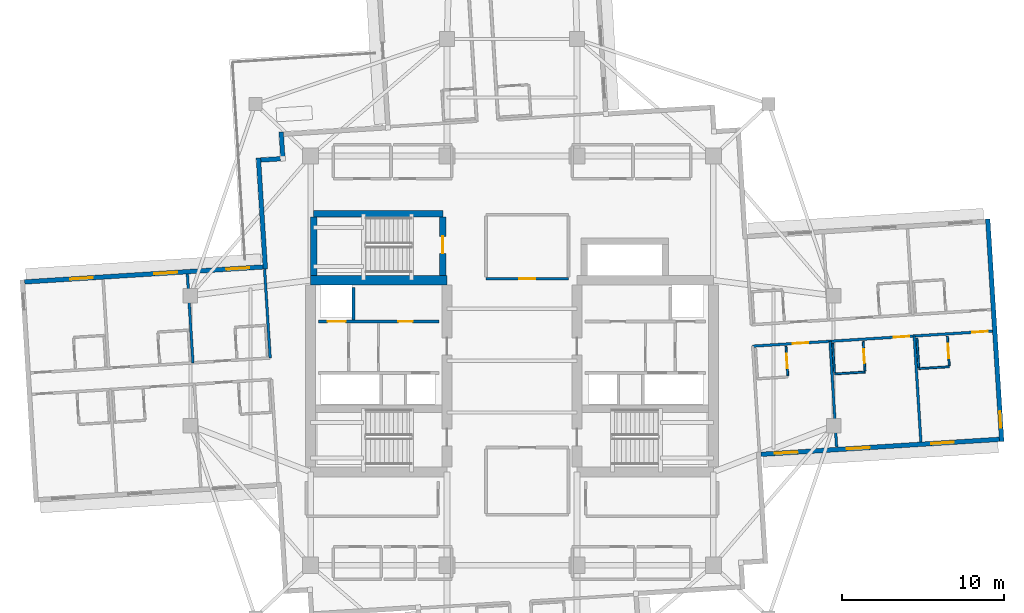
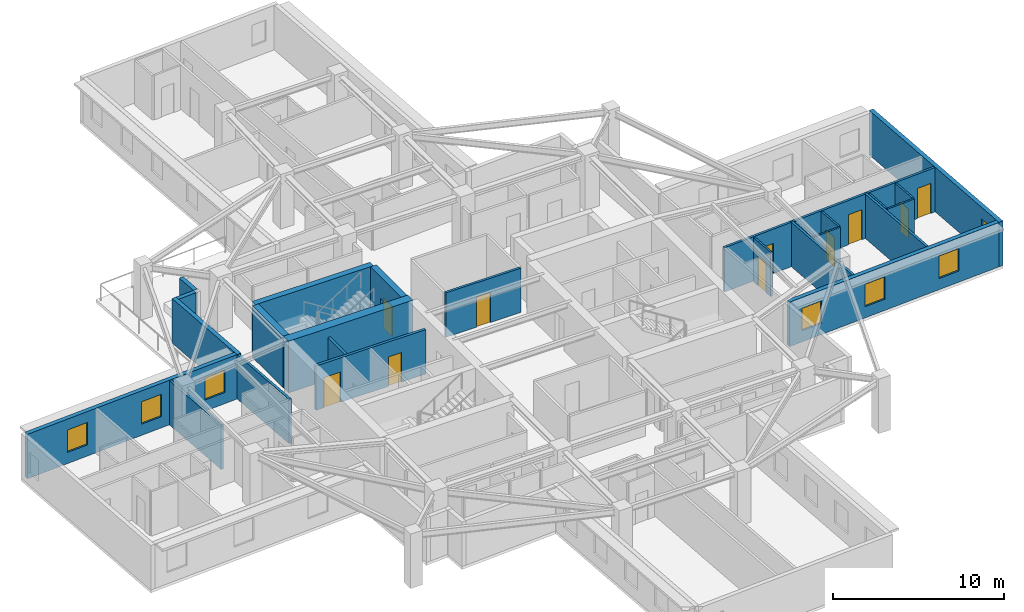
# One storey, part 6 of 13: 25 walls, 10 doors, 7 windows, 17 openings.
"""IFC4 building model written with IfcOpenShell, lengths in metres."""

import ifcopenshell
import ifcopenshell.guid

model = None  # the IFC model being written
_history = None  # IfcOwnerHistory: only IFC2X3 demands one
_inside = {}  # id of a spatial element -> (the spatial element, [elements in it])
_under = {}  # id of a project, library or spatial element -> (it, [spatial elements below it])
_declared = {}  # id of a project -> (the project, [libraries it declares])
_typed = {}  # id of a type object -> (the type object, [elements of that type])
_made_of = {}  # id of a material, layer set ... -> (it, [elements and type objects made of it])


def new_model(schema):
    """Start an empty IFC model of exactly this schema.

    Asked for "IFC4X3", IfcOpenShell would pick the latest addendum, in which some entities
    have other attributes; the version numbers below select the first issue.
    IFC2X3 requires an IfcOwnerHistory on every rooted entity: one is made here for all.
    """
    global model, _history
    if schema == "IFC4X3":
        model = ifcopenshell.file(schema_version=(4, 3, 0, 0))
    else:
        model = ifcopenshell.file(schema=schema)
    _inside.clear()
    _under.clear()
    _declared.clear()
    _typed.clear()
    _made_of.clear()
    _history = None
    if model.schema == "IFC2X3":
        org = make("IfcOrganization", Name="unknown")
        user = make(
            "IfcPersonAndOrganization",
            ThePerson=make("IfcPerson", FamilyName="unknown"),
            TheOrganization=org,
        )
        app = make(
            "IfcApplication",
            ApplicationDeveloper=org,
            Version="unknown",
            ApplicationFullName="unknown",
            ApplicationIdentifier="unknown",
        )
        _history = make(
            "IfcOwnerHistory",
            OwningUser=user,
            OwningApplication=app,
            ChangeAction="ADDED",
            CreationDate=0,
        )
    return model


def make(cls, **values):
    """One entity of the class cls with the attributes given. An attribute that is None is left unset."""
    return model.create_entity(
        cls, **{name: value for name, value in values.items() if value is not None}
    )


def rooted(cls, **values):
    """An entity with a GlobalId (a new one), such as an element, a storey or a relation."""
    return make(cls, GlobalId=ifcopenshell.guid.new(), OwnerHistory=_history, **values)


def si_unit(unit_type, name, prefix=None):
    """IfcSIUnit, for example si_unit("LENGTHUNIT", "METRE", prefix="MILLI")."""
    return make("IfcSIUnit", UnitType=unit_type, Prefix=prefix, Name=name)


def assignment(units):
    """IfcUnitAssignment: the units of a project."""
    return None if units is None else make("IfcUnitAssignment", Units=units)


def point(xyz):
    """IfcCartesianPoint."""
    return None if xyz is None else make("IfcCartesianPoint", Coordinates=xyz)


def direction(xyz):
    """IfcDirection."""
    return None if xyz is None else make("IfcDirection", DirectionRatios=xyz)


def frame(location, z_axis=None, x_axis=None):
    """IfcAxis2Placement3D, a coordinate frame: its origin and axes. An axis left out is left unset."""
    return make(
        "IfcAxis2Placement3D",
        Location=point(location),
        Axis=direction(z_axis),
        RefDirection=direction(x_axis),
    )


def frame_2d(location, x_axis=None):
    """IfcAxis2Placement2D, a coordinate frame in the plane: its origin and x axis."""
    return make(
        "IfcAxis2Placement2D", Location=point(location), RefDirection=direction(x_axis)
    )


def origin():
    """The frame at (0, 0, 0) with its axes left unset."""
    return frame((0.0, 0.0, 0.0))


def place(relative_to, where):
    """IfcLocalPlacement: puts the frame where relative to a parent placement (None: the world)."""
    return make(
        "IfcLocalPlacement", PlacementRelTo=relative_to, RelativePlacement=where
    )


def context(
    kind, dimensions, precision=None, world=None, true_north=None, identifier=None
):
    """IfcGeometricRepresentationContext, for example the 3D "Model" context."""
    return make(
        "IfcGeometricRepresentationContext",
        ContextIdentifier=identifier,
        ContextType=kind,
        CoordinateSpaceDimension=dimensions,
        Precision=precision,
        WorldCoordinateSystem=world,
        TrueNorth=true_north,
    )


def subcontext(parent, identifier, kind, view, scale=None):
    """IfcGeometricRepresentationSubContext, for example "Body" below "Model"."""
    return make(
        "IfcGeometricRepresentationSubContext",
        ContextIdentifier=identifier,
        ContextType=kind,
        ParentContext=parent,
        TargetScale=scale,
        TargetView=view,
    )


def project(units=None, contexts=None):
    """IfcProject with its units and contexts."""
    return rooted(
        "IfcProject",
        Name="project",
        RepresentationContexts=contexts,
        UnitsInContext=assignment(units),
    )


def spatial(cls, under=None, at=None, **own):
    """A site, building, storey or space (cls), placed at a placement, below another one or the project."""
    s = rooted(cls, ObjectPlacement=at, **own)
    if under is not None:
        _under.setdefault(under.id(), (under, []))[1].append(s)
    return s


def profile(cls, at=None, kind="AREA", **sizes):
    """A parametric profile (cls). Its sizes go by their IFC names, for example OverallWidth=200.0."""
    return make(cls, ProfileType=kind, Position=at, **sizes)


def rectangle(**sizes):
    """IfcRectangleProfileDef."""
    return profile("IfcRectangleProfileDef", **sizes)


def extrude(swept, where, along, depth):
    """IfcExtrudedAreaSolid: the profile swept, set in the frame where, extruded along a direction by depth."""
    return make(
        "IfcExtrudedAreaSolid",
        SweptArea=swept,
        Position=where,
        ExtrudedDirection=direction(along),
        Depth=depth,
    )


def shape(context_of_items, identifier, shape_type, items):
    """IfcShapeRepresentation: the items that make up one representation, for example the "Body"."""
    return make(
        "IfcShapeRepresentation",
        ContextOfItems=context_of_items,
        RepresentationIdentifier=identifier,
        RepresentationType=shape_type,
        Items=items,
    )


def material(Name=None, Category=None):
    """IfcMaterial."""
    return make("IfcMaterial", Name=Name, Category=Category)


def layer(
    of_material, thickness, ventilated=None, Name=None, Category=None, Priority=None
):
    """IfcMaterialLayer: one layer of a wall or slab, of a material (None: an air gap)."""
    return make(
        "IfcMaterialLayer",
        Material=of_material,
        LayerThickness=thickness,
        IsVentilated=ventilated,
        Name=Name,
        Category=Category,
        Priority=Priority,
    )


def layer_set(layers, Name=None):
    """IfcMaterialLayerSet."""
    return make("IfcMaterialLayerSet", MaterialLayers=layers, LayerSetName=Name)


def made_of(thing, what):
    """Note that an element or type object is made of a material, layer set ...; save() writes the relation."""
    if what is not None:
        _made_of.setdefault(what.id(), (what, []))[1].append(thing)
    return thing


def type_object(cls, material=None, **own):
    """A type object (cls), such as IfcWallType, which elements share."""
    return made_of(rooted(cls, **own), material)


def element(
    cls,
    number,
    at=None,
    inside=None,
    cuts=None,
    type_object=None,
    material=None,
    context=None,
    identifier="Body",
    shape_type=None,
    held_by="IfcProductDefinitionShape",
    body=None,
    shapes=None,
    **own,
):
    """One element of the class cls, such as IfcWall. Its Tag is "e" and its number.

    at: its placement. inside: the storey or other place that contains it. cuts: it is an
    opening in that element (IfcRelVoidsElement). A single representation is given by context,
    identifier, shape_type and body (its items); several are given by shapes. held_by: the class
    of the entity that holds the representations. save() writes the other relations.
    """
    e = rooted(cls, Tag="e%d" % number, ObjectPlacement=at, **own)
    if body is not None:
        shapes = [shape(context, identifier, shape_type, body)]
    if shapes is not None:
        e.Representation = make(held_by, Representations=shapes)
    if inside is not None:
        _inside.setdefault(inside.id(), (inside, []))[1].append(e)
    if cuts is not None:
        rooted(
            "IfcRelVoidsElement", RelatingBuildingElement=cuts, RelatedOpeningElement=e
        )
    if type_object is not None:
        _typed.setdefault(type_object.id(), (type_object, []))[1].append(e)
    return made_of(e, material)


def fill(opening, filler):
    """IfcRelFillsElement: the door or window that sits in an opening."""
    return rooted(
        "IfcRelFillsElement",
        RelatingOpeningElement=opening,
        RelatedBuildingElement=filler,
    )


def aggregate(whole, parts):
    """IfcRelAggregates: a whole, such as a stair, and the parts it consists of."""
    return rooted("IfcRelAggregates", RelatingObject=whole, RelatedObjects=parts)


def save(model, path):
    """Write the relations noted so far, then the file.

    IfcRelAggregates (storeys below a building ...), IfcRelContainedInSpatialStructure (elements
    in a storey), IfcRelDefinesByType, IfcRelAssociatesMaterial and IfcRelDeclares: one each for
    every whole, place, type object, material and project.
    """
    for whole, parts in _under.values():
        aggregate(whole, parts)
    for where, things in _inside.values():
        rooted(
            "IfcRelContainedInSpatialStructure",
            RelatedElements=things,
            RelatingStructure=where,
        )
    for kind, things in _typed.values():
        rooted("IfcRelDefinesByType", RelatedObjects=things, RelatingType=kind)
    for what, things in _made_of.values():
        rooted("IfcRelAssociatesMaterial", RelatedObjects=things, RelatingMaterial=what)
    for by, libraries in _declared.values():
        rooted("IfcRelDeclares", RelatingContext=by, RelatedDefinitions=libraries)
    model.write(path)


model = new_model("IFC4")

# Units and contexts
model_context = context("Model", 3, precision=1e-05, world=origin(), true_north=direction((0.0, 1.0)))
body_context = subcontext(model_context, "Body", "Model", "MODEL_VIEW")
ifc_project = project(units=[si_unit("LENGTHUNIT", "METRE"), si_unit("AREAUNIT", "SQUARE_METRE"), si_unit("VOLUMEUNIT", "CUBIC_METRE"), si_unit("PLANEANGLEUNIT", "RADIAN"), si_unit("MASSUNIT", "GRAM", prefix="KILO")], contexts=[model_context])

# Site, building, storey
site_placement = place(None, origin())
site = spatial("IfcSite", under=ifc_project, at=site_placement, CompositionType="ELEMENT")
building_placement = place(site_placement, origin())
building = spatial("IfcBuilding", under=site, at=building_placement, Name="Qingluan Cross Belvedere", CompositionType="ELEMENT")
storey_placement = place(building_placement, frame((0.0, 0.0, 201.300048828125)))
storey = spatial("IfcBuildingStorey", under=building, at=storey_placement, Name="L50", CompositionType="ELEMENT", Elevation=201.300048828125)

# Walls
ifc_material_1 = material(Name="Concrete C50", Category="concrete")
ifc_layer_1 = layer(ifc_material_1, 0.449951171875, Name="CoreShearWall_450")
ifc_layer_set_1 = layer_set([ifc_layer_1], Name="Concrete C50")
wall_type_1 = type_object("IfcWallType", Name="CoreShearWall_450", PredefinedType="SHEAR", material=ifc_layer_set_1)
wall_1_placement = place(storey_placement, frame((-12.219970703125, 9.0400390625, 0.0), z_axis=(0.0, 0.0, 1.0), x_axis=(1.0, 0.0, 0.0)))
element("IfcWall", 1, at=wall_1_placement, inside=storey, type_object=wall_type_1, Name="Stair ST3 structural wall N L50", PredefinedType="SHEAR", context=body_context, shape_type="SweptSolid", body=[
    extrude(rectangle(XDim=7.9599609375, YDim=0.39990234375, at=frame_2d((3.97998046875, 0.0))), origin(), (0.0, 0.0, 1.0), 3.699951171875),
])
wall_2_placement = place(storey_placement, frame((-12.219970703125, 5.2548828125, 0.0), z_axis=(0.0, 0.0, 1.0), x_axis=(0.0, 1.0, 0.0)))
element("IfcWall", 2, at=wall_2_placement, inside=storey, type_object=wall_type_1, Name="Stair ST3 structural wall W L50", PredefinedType="SHEAR", context=body_context, shape_type="SweptSolid", body=[
    extrude(rectangle(XDim=3.580078125, YDim=0.39990234375, at=frame_2d((1.7900390625, 0.0))), origin(), (0.0, 0.0, 1.0), 3.699951171875),
])

# Wall, opening, door
wall_3_placement = place(storey_placement, frame((-4.260009765625, 5.2548828125, 0.0), z_axis=(0.0, 0.0, 1.0), x_axis=(0.0, 1.0, 0.0)))
wall_3 = element("IfcWall", 3, at=wall_3_placement, inside=storey, type_object=wall_type_1, Name="Stair ST3 structural wall E L50", PredefinedType="SHEAR", context=body_context, shape_type="SweptSolid", body=[
    extrude(rectangle(XDim=3.580078125, YDim=0.39990234375, at=frame_2d((1.7900390625, 0.0))), origin(), (0.0, 0.0, 1.0), 3.699951171875),
])
opening_1_placement = place(wall_3_placement, frame((1.344970703125, 0.0, 0.0)))
opening_1 = element("IfcOpeningElement", 4, at=opening_1_placement, cuts=wall_3, Name="Opening FD-B11", PredefinedType="OPENING", context=body_context, shape_type="SweptSolid", body=[
    extrude(rectangle(XDim=1.050048828125, YDim=2.14990234375, at=frame_2d((0.52490234375, 1.074951171875))), frame((0.0, 0.2099609375, 0.0), z_axis=(0.0, -1.0, 0.0), x_axis=(1.0, 0.0, 0.0)), (0.0, 0.0, 1.0), 0.419921875),
])
ifc_material_2 = material(Name="Steel Class B smoke-seal fire door", Category="steel")
door_type_1 = type_object("IfcDoorType", Name="StairLobbyFireDoor_FDB", OperationType="NOTDEFINED", PredefinedType="DOOR", material=ifc_material_2)
door_1_placement = place(opening_1_placement, origin())
door_1 = element("IfcDoor", 5, at=door_1_placement, inside=storey, type_object=door_type_1, Name="Smoke-proof stair ST3 fire door L50", OperationType="SINGLE_SWING_RIGHT", OverallHeight=2.14990234375, OverallWidth=1.050048828125, PredefinedType="DOOR", context=body_context, shape_type="SweptSolid", body=[
    extrude(rectangle(XDim=1.050048828125, YDim=2.14990234375, at=frame_2d((0.52490234375, 1.074951171875))), frame((0.0, 0.02490234375, 0.0), z_axis=(0.0, -1.0, 0.0), x_axis=(1.0, 0.0, 0.0)), (0.0, 0.0, 1.0), 0.050048828125),
])
fill(opening_1, door_1)

# Wall
ifc_material_3 = material(Name="Concrete C60", Category="concrete")
ifc_layer_2 = layer(ifc_material_3, 0.60009765625, Name="CoreShearWall_600")
ifc_layer_set_2 = layer_set([ifc_layer_2], Name="Concrete C60")
wall_type_2 = type_object("IfcWallType", Name="CoreShearWall_600", PredefinedType="SHEAR", material=ifc_layer_set_2)
wall_4_placement = place(storey_placement, frame((-12.39990234375, 4.949951171875, 0.0), z_axis=(0.0, 0.0, 1.0), x_axis=(1.0, 0.0, 0.0)))
element("IfcWall", 6, at=wall_4_placement, inside=storey, type_object=wall_type_2, Name="Split core W shear wall L50-N", PredefinedType="SHEAR", context=body_context, shape_type="SweptSolid", body=[
    extrude(rectangle(XDim=8.39990234375, YDim=0.60009765625, at=frame_2d((4.199951171875, 0.0))), origin(), (0.0, 0.0, 1.0), 3.699951171875),
])

# Wall, opening, door
ifc_material_4 = material(Name="Gypsum plasterboard on steel stud acoustic partition", Category="steel")
ifc_layer_3 = layer(ifc_material_4, 0.159912109375, Name="CorridorPartition_160")
ifc_layer_set_3 = layer_set([ifc_layer_3], Name="Gypsum plasterboard on steel stud acoustic partition")
wall_type_3 = type_object("IfcWallType", Name="CorridorPartition_160", PredefinedType="PARTITIONING", material=ifc_layer_set_3)
wall_5_placement = place(storey_placement, frame((-1.60009765625, 5.050048828125, 0.0), z_axis=(0.0, 0.0, 1.0), x_axis=(1.0, 0.0, 0.0)))
wall_5 = element("IfcWall", 7, at=wall_5_placement, inside=storey, type_object=wall_type_3, Name="Partition L50:sky_tea_alcove:S", PredefinedType="PARTITIONING", context=body_context, shape_type="SweptSolid", body=[
    extrude(rectangle(XDim=5.080078125, YDim=0.159912109375, at=frame_2d((2.5400390625, 0.0))), origin(), (0.0, 0.0, 1.0), 3.169921875),
])
opening_2_placement = place(wall_5_placement, frame((2.06005859375, 0.0, 0.0)))
opening_2 = element("IfcOpeningElement", 8, at=opening_2_placement, cuts=wall_5, Name="Opening GD-10", PredefinedType="OPENING", context=body_context, shape_type="SweptSolid", body=[
    extrude(rectangle(XDim=0.9599609375, YDim=2.14990234375, at=frame_2d((0.47998046875, 1.074951171875))), frame((0.0, 0.08984375, 0.0), z_axis=(0.0, -1.0, 0.0), x_axis=(1.0, 0.0, 0.0)), (0.0, 0.0, 1.0), 0.179931640625),
])
ifc_material_5 = material(Name="Timber oak fire-rated acoustic guestroom door", Category="wood")
door_type_2 = type_object("IfcDoorType", Name="GuestEntryDoor_FD60", OperationType="NOTDEFINED", PredefinedType="DOOR", material=ifc_material_5)
door_2_placement = place(opening_2_placement, origin())
door_2 = element("IfcDoor", 9, at=door_2_placement, inside=storey, type_object=door_type_2, Name="Sky horizon tea salon L50 door", OperationType="SINGLE_SWING_LEFT", OverallHeight=2.14990234375, OverallWidth=0.9599609375, PredefinedType="DOOR", context=body_context, shape_type="SweptSolid", body=[
    extrude(rectangle(XDim=0.9599609375, YDim=2.14990234375, at=frame_2d((0.47998046875, 1.074951171875))), frame((0.0, 0.02490234375, 0.0), z_axis=(0.0, -1.0, 0.0), x_axis=(1.0, 0.0, 0.0)), (0.0, 0.0, 1.0), 0.050048828125),
])
fill(opening_2, door_2)

# Wall, openings, doors
wall_6_placement = place(storey_placement, frame((14.8232421875, 0.892578125, 0.0), z_axis=(0.0, 0.0, 1.0), x_axis=(0.998026529199, 0.062793686106, 0.0)))
wall_6 = element("IfcWall", 10, at=wall_6_placement, inside=storey, type_object=wall_type_3, Name="Partition L50:E:c1", PredefinedType="PARTITIONING", context=body_context, shape_type="SweptSolid", body=[
    extrude(rectangle(XDim=14.781982421875, YDim=0.159912109375, at=frame_2d((7.39111328125, 0.0))), origin(), (0.0, 0.0, 1.0), 3.169921875),
])
opening_3_placement = place(wall_6_placement, frame((2.4560546875, 0.0, 0.0)))
opening_3 = element("IfcOpeningElement", 11, at=opening_3_placement, cuts=wall_6, Name="Opening GD-10", PredefinedType="OPENING", context=body_context, shape_type="SweptSolid", body=[
    extrude(rectangle(XDim=0.9599609375, YDim=2.14990234375, at=frame_2d((0.47998046875, 1.074951171875))), frame((0.0, 0.08984375, 0.0), z_axis=(0.0, -1.0, 0.0), x_axis=(1.0, 0.0, 0.0)), (0.0, 0.0, 1.0), 0.179931640625),
])
opening_4_placement = place(wall_6_placement, frame((8.700927734375, 0.0, 0.0)))
opening_4 = element("IfcOpeningElement", 12, at=opening_4_placement, cuts=wall_6, Name="Opening GD-10", PredefinedType="OPENING", context=body_context, shape_type="SweptSolid", body=[
    extrude(rectangle(XDim=0.9599609375, YDim=2.14990234375, at=frame_2d((0.47998046875, 1.074951171875))), frame((0.0, 0.08984375, 0.0), z_axis=(0.0, -1.0, 0.0), x_axis=(1.0, 0.0, 0.0)), (0.0, 0.0, 1.0), 0.179931640625),
])
opening_5_placement = place(wall_6_placement, frame((13.530029296875, 0.0, 0.0)))
opening_5 = element("IfcOpeningElement", 13, at=opening_5_placement, cuts=wall_6, Name="Opening GD-10", PredefinedType="OPENING", context=body_context, shape_type="SweptSolid", body=[
    extrude(rectangle(XDim=0.9599609375, YDim=2.14990234375, at=frame_2d((0.47998046875, 1.074951171875))), frame((0.0, 0.08984375, 0.0), z_axis=(0.0, -1.0, 0.0), x_axis=(1.0, 0.0, 0.0)), (0.0, 0.0, 1.0), 0.179931640625),
])
door_3_placement = place(opening_3_placement, origin())
door_3 = element("IfcDoor", 14, at=door_3_placement, inside=storey, type_object=door_type_2, Name="Guest entry fire door 5004", OperationType="SINGLE_SWING_LEFT", OverallHeight=2.14990234375, OverallWidth=0.9599609375, PredefinedType="DOOR", context=body_context, shape_type="SweptSolid", body=[
    extrude(rectangle(XDim=0.9599609375, YDim=2.14990234375, at=frame_2d((0.47998046875, 1.074951171875))), frame((0.0, 0.02490234375, 0.0), z_axis=(0.0, -1.0, 0.0), x_axis=(1.0, 0.0, 0.0)), (0.0, 0.0, 1.0), 0.050048828125),
])
fill(opening_3, door_3)
door_4_placement = place(opening_4_placement, origin())
door_4 = element("IfcDoor", 15, at=door_4_placement, inside=storey, type_object=door_type_2, Name="Guest entry fire door 5005", OperationType="SINGLE_SWING_LEFT", OverallHeight=2.14990234375, OverallWidth=0.9599609375, PredefinedType="DOOR", context=body_context, shape_type="SweptSolid", body=[
    extrude(rectangle(XDim=0.9599609375, YDim=2.14990234375, at=frame_2d((0.47998046875, 1.074951171875))), frame((0.0, 0.02490234375, 0.0), z_axis=(0.0, -1.0, 0.0), x_axis=(1.0, 0.0, 0.0)), (0.0, 0.0, 1.0), 0.050048828125),
])
fill(opening_4, door_4)
door_5_placement = place(opening_5_placement, origin())
door_5 = element("IfcDoor", 16, at=door_5_placement, inside=storey, type_object=door_type_2, Name="Guest entry fire door 5006", OperationType="SINGLE_SWING_LEFT", OverallHeight=2.14990234375, OverallWidth=0.9599609375, PredefinedType="DOOR", context=body_context, shape_type="SweptSolid", body=[
    extrude(rectangle(XDim=0.9599609375, YDim=2.14990234375, at=frame_2d((0.47998046875, 1.074951171875))), frame((0.0, 0.02490234375, 0.0), z_axis=(0.0, -1.0, 0.0), x_axis=(1.0, 0.0, 0.0)), (0.0, 0.0, 1.0), 0.050048828125),
])
fill(opening_5, door_5)

# Walls
wall_7_placement = place(storey_placement, frame((19.576904296875, 1.191650390625, 0.0), z_axis=(0.0, 0.0, 1.0), x_axis=(0.062792476105, -0.998026605329, 0.0)))
element("IfcWall", 17, at=wall_7_placement, inside=storey, type_object=wall_type_3, Name="Partition L50:E:d1_0", PredefinedType="PARTITIONING", context=body_context, shape_type="SweptSolid", body=[
    extrude(rectangle(XDim=6.531982421875, YDim=0.159912109375, at=frame_2d((3.26611328125, 0.0))), origin(), (0.0, 0.0, 1.0), 3.169921875),
])
wall_8_placement = place(storey_placement, frame((24.7646484375, 1.51806640625, 0.0), z_axis=(0.0, 0.0, 1.0), x_axis=(0.062790133862, -0.998026752692, 0.0)))
element("IfcWall", 18, at=wall_8_placement, inside=storey, type_object=wall_type_3, Name="Partition L50:E:d1_1", PredefinedType="PARTITIONING", context=body_context, shape_type="SweptSolid", body=[
    extrude(rectangle(XDim=6.5322265625, YDim=0.159912109375, at=frame_2d((3.26611328125, 0.0))), origin(), (0.0, 0.0, 1.0), 3.169921875),
])
wall_9_placement = place(storey_placement, frame((-14.889892578125, 0.165283203125, 0.0), z_axis=(0.0, 0.0, 1.0), x_axis=(-0.062772694883, 0.9980278497, 0.0)))
element("IfcWall", 19, at=wall_9_placement, inside=storey, type_object=wall_type_3, Name="Partition L50:W:s0", PredefinedType="PARTITIONING", context=body_context, shape_type="SweptSolid", body=[
    extrude(rectangle(XDim=5.47216796875, YDim=0.159912109375, at=frame_2d((2.736083984375, 0.0))), origin(), (0.0, 0.0, 1.0), 3.169921875),
])
wall_10_placement = place(storey_placement, frame((-19.643310546875, -0.1337890625, 0.0), z_axis=(0.0, 0.0, 1.0), x_axis=(-0.062819930603, 0.998024877605, 0.0)))
element("IfcWall", 20, at=wall_10_placement, inside=storey, type_object=wall_type_3, Name="Partition L50:W:d0_0", PredefinedType="PARTITIONING", context=body_context, shape_type="SweptSolid", body=[
    extrude(rectangle(XDim=5.471923828125, YDim=0.159912109375, at=frame_2d((2.73583984375, 0.0))), origin(), (0.0, 0.0, 1.0), 3.169921875),
])

# Wall, opening, door
ifc_material_6 = material(Name="Moisture-resistant gypsum board lining")
ifc_layer_4 = layer(ifc_material_6, 0.1201171875, Name="EnsuiteWetPartition_120")
ifc_layer_set_4 = layer_set([ifc_layer_4], Name="Moisture-resistant gypsum board lining")
wall_type_4 = type_object("IfcWallType", Name="EnsuiteWetPartition_120", PredefinedType="PARTITIONING", material=ifc_layer_set_4)
wall_11_placement = place(storey_placement, frame((16.982421875, -0.935546875, 0.0), z_axis=(0.0, 0.0, 1.0), x_axis=(-0.062912758763, 0.998019030272, 0.0)))
wall_11 = element("IfcWall", 21, at=wall_11_placement, inside=storey, type_object=wall_type_4, Name="Partition L50:E:bs1_0", PredefinedType="PARTITIONING", context=body_context, shape_type="SweptSolid", body=[
    extrude(rectangle(XDim=1.820068359375, YDim=0.1201171875, at=frame_2d((0.91015625, 0.0))), origin(), (0.0, 0.0, 1.0), 3.169921875),
])
opening_6_placement = place(wall_11_placement, frame((0.469970703125, 0.0, 0.0)))
opening_6 = element("IfcOpeningElement", 22, at=opening_6_placement, cuts=wall_11, Name="Opening BD-09", PredefinedType="OPENING", context=body_context, shape_type="SweptSolid", body=[
    extrude(rectangle(XDim=0.8798828125, YDim=2.10009765625, at=frame_2d((0.43994140625, 1.050048828125))), frame((0.0, 0.070068359375, 0.0), z_axis=(0.0, -1.0, 0.0), x_axis=(1.0, 0.0, 0.0)), (0.0, 0.0, 1.0), 0.14013671875),
])
ifc_material_7 = material(Name="Moisture-sealed timber en-suite door", Category="wood")
door_type_3 = type_object("IfcDoorType", Name="BathroomDoor_880", OperationType="NOTDEFINED", PredefinedType="DOOR", material=ifc_material_7)
door_6_placement = place(opening_6_placement, origin())
door_6 = element("IfcDoor", 23, at=door_6_placement, inside=storey, type_object=door_type_3, Name="Bathroom door 5004", OperationType="SINGLE_SWING_RIGHT", OverallHeight=2.10009765625, OverallWidth=0.8798828125, PredefinedType="DOOR", context=body_context, shape_type="SweptSolid", body=[
    extrude(rectangle(XDim=0.8798828125, YDim=2.10009765625, at=frame_2d((0.43994140625, 1.050048828125))), frame((0.0, 0.02490234375, 0.0), z_axis=(0.0, -1.0, 0.0), x_axis=(1.0, 0.0, 0.0)), (0.0, 0.0, 1.0), 0.050048828125),
])
fill(opening_6, door_6)

wall_12_placement = place(storey_placement, frame((21.73583984375, -0.636474609375, 0.0), z_axis=(0.0, 0.0, 1.0), x_axis=(-0.062779145668, 0.998027443946, 0.0)))
wall_12 = element("IfcWall", 24, at=wall_12_placement, inside=storey, type_object=wall_type_4, Name="Partition L50:E:bs1_1", PredefinedType="PARTITIONING", context=body_context, shape_type="SweptSolid", body=[
    extrude(rectangle(XDim=1.820068359375, YDim=0.1201171875, at=frame_2d((0.91015625, 0.0))), origin(), (0.0, 0.0, 1.0), 3.169921875),
])
opening_7_placement = place(wall_12_placement, frame((0.469970703125, 0.0, 0.0)))
opening_7 = element("IfcOpeningElement", 25, at=opening_7_placement, cuts=wall_12, Name="Opening BD-09", PredefinedType="OPENING", context=body_context, shape_type="SweptSolid", body=[
    extrude(rectangle(XDim=0.8798828125, YDim=2.10009765625, at=frame_2d((0.43994140625, 1.050048828125))), frame((0.0, 0.070068359375, 0.0), z_axis=(0.0, -1.0, 0.0), x_axis=(1.0, 0.0, 0.0)), (0.0, 0.0, 1.0), 0.14013671875),
])
door_7_placement = place(opening_7_placement, origin())
door_7 = element("IfcDoor", 26, at=door_7_placement, inside=storey, type_object=door_type_3, Name="Bathroom door 5005", OperationType="SINGLE_SWING_RIGHT", OverallHeight=2.10009765625, OverallWidth=0.8798828125, PredefinedType="DOOR", context=body_context, shape_type="SweptSolid", body=[
    extrude(rectangle(XDim=0.8798828125, YDim=2.10009765625, at=frame_2d((0.43994140625, 1.050048828125))), frame((0.0, 0.02490234375, 0.0), z_axis=(0.0, -1.0, 0.0), x_axis=(1.0, 0.0, 0.0)), (0.0, 0.0, 1.0), 0.050048828125),
])
fill(opening_7, door_7)

# Walls
wall_13_placement = place(storey_placement, frame((19.859619140625, -0.75439453125, 0.0), z_axis=(0.0, 0.0, 1.0), x_axis=(-0.062779145668, 0.998027443946, 0.0)))
element("IfcWall", 27, at=wall_13_placement, inside=storey, type_object=wall_type_4, Name="Partition L50:E:bw1_1", PredefinedType="PARTITIONING", context=body_context, shape_type="SweptSolid", body=[
    extrude(rectangle(XDim=1.820068359375, YDim=0.1201171875, at=frame_2d((0.91015625, 0.0))), origin(), (0.0, 0.0, 1.0), 3.169921875),
])
wall_14_placement = place(storey_placement, frame((19.863525390625, -0.8193359375, 0.0), z_axis=(0.0, 0.0, 1.0), x_axis=(0.998031300018, 0.062717813936, 0.0)))
element("IfcWall", 28, at=wall_14_placement, inside=storey, type_object=wall_type_4, Name="Partition L50:E:bc1_1", PredefinedType="PARTITIONING", context=body_context, shape_type="SweptSolid", body=[
    extrude(rectangle(XDim=1.880126953125, YDim=0.1201171875, at=frame_2d((0.93994140625, 0.0))), origin(), (0.0, 0.0, 1.0), 3.169921875),
])

# Wall, opening, door
wall_15_placement = place(storey_placement, frame((26.923583984375, -0.31005859375, 0.0), z_axis=(0.0, 0.0, 1.0), x_axis=(-0.062779145668, 0.998027443946, 0.0)))
wall_15 = element("IfcWall", 29, at=wall_15_placement, inside=storey, type_object=wall_type_4, Name="Partition L50:E:bs1_2", PredefinedType="PARTITIONING", context=body_context, shape_type="SweptSolid", body=[
    extrude(rectangle(XDim=1.820068359375, YDim=0.1201171875, at=frame_2d((0.91015625, 0.0))), origin(), (0.0, 0.0, 1.0), 3.169921875),
])
opening_8_placement = place(wall_15_placement, frame((0.469970703125, 0.0, 0.0)))
opening_8 = element("IfcOpeningElement", 30, at=opening_8_placement, cuts=wall_15, Name="Opening BD-09", PredefinedType="OPENING", context=body_context, shape_type="SweptSolid", body=[
    extrude(rectangle(XDim=0.8798828125, YDim=2.10009765625, at=frame_2d((0.43994140625, 1.050048828125))), frame((0.0, 0.070068359375, 0.0), z_axis=(0.0, -1.0, 0.0), x_axis=(1.0, 0.0, 0.0)), (0.0, 0.0, 1.0), 0.14013671875),
])
door_8_placement = place(opening_8_placement, origin())
door_8 = element("IfcDoor", 31, at=door_8_placement, inside=storey, type_object=door_type_3, Name="Bathroom door 5006", OperationType="SINGLE_SWING_RIGHT", OverallHeight=2.10009765625, OverallWidth=0.8798828125, PredefinedType="DOOR", context=body_context, shape_type="SweptSolid", body=[
    extrude(rectangle(XDim=0.8798828125, YDim=2.10009765625, at=frame_2d((0.43994140625, 1.050048828125))), frame((0.0, 0.02490234375, 0.0), z_axis=(0.0, -1.0, 0.0), x_axis=(1.0, 0.0, 0.0)), (0.0, 0.0, 1.0), 0.050048828125),
])
fill(opening_8, door_8)

# Walls
wall_16_placement = place(storey_placement, frame((25.04736328125, -0.427978515625, 0.0), z_axis=(0.0, 0.0, 1.0), x_axis=(-0.062787551592, 0.998026915151, 0.0)))
element("IfcWall", 32, at=wall_16_placement, inside=storey, type_object=wall_type_4, Name="Partition L50:E:bw1_2", PredefinedType="PARTITIONING", context=body_context, shape_type="SweptSolid", body=[
    extrude(rectangle(XDim=1.81982421875, YDim=0.1201171875, at=frame_2d((0.909912109375, 0.0))), origin(), (0.0, 0.0, 1.0), 3.169921875),
])
wall_17_placement = place(storey_placement, frame((25.051513671875, -0.492919921875, 0.0), z_axis=(0.0, 0.0, 1.0), x_axis=(0.998030789148, 0.062725942896, 0.0)))
element("IfcWall", 33, at=wall_17_placement, inside=storey, type_object=wall_type_4, Name="Partition L50:E:bc1_2", PredefinedType="PARTITIONING", context=body_context, shape_type="SweptSolid", body=[
    extrude(rectangle(XDim=1.8798828125, YDim=0.1201171875, at=frame_2d((0.93994140625, 0.0))), origin(), (0.0, 0.0, 1.0), 3.169921875),
])

# Wall, openings, windows
ifc_material_8 = material(Name="Precast concrete C45", Category="concrete")
ifc_layer_5 = layer(ifc_material_8, 0.280029296875, Name="PrecastFacadeWall_280")
ifc_layer_set_5 = layer_set([ifc_layer_5], Name="Precast concrete C45")
wall_type_5 = type_object("IfcWallType", Name="PrecastFacadeWall_280", PredefinedType="STANDARD", material=ifc_layer_set_5)
wall_18_placement = place(storey_placement, frame((15.33251953125, -5.7685546875, 0.0), z_axis=(0.0, 0.0, 1.0), x_axis=(0.998027423805, 0.062779465852, 0.0)))
wall_18 = element("IfcWall", 34, at=wall_18_placement, inside=storey, type_object=wall_type_5, Name="Facade wall L50-EA", PredefinedType="STANDARD", context=body_context, shape_type="SweptSolid", body=[
    extrude(rectangle(XDim=14.699951171875, YDim=0.280029296875, at=frame_2d((7.35009765625, 0.0))), origin(), (0.0, 0.0, 1.0), 3.179931640625),
])
opening_9_placement = place(wall_18_placement, frame((0.85009765625, 0.0, 0.800048828125)))
opening_9 = element("IfcOpeningElement", 35, at=opening_9_placement, cuts=wall_18, Name="Opening W-01", PredefinedType="OPENING", context=body_context, shape_type="SweptSolid", body=[
    extrude(rectangle(XDim=1.39990234375, YDim=1.60009765625, at=frame_2d((0.699951171875, 0.800048828125))), frame((0.0, 0.14990234375, 0.0), z_axis=(0.0, -1.0, 0.0), x_axis=(1.0, 0.0, 0.0)), (0.0, 0.0, 1.0), 0.300048828125),
])
opening_10_placement = place(wall_18_placement, frame((5.300048828125, 0.0, 0.800048828125)))
opening_10 = element("IfcOpeningElement", 36, at=opening_10_placement, cuts=wall_18, Name="Opening W-01", PredefinedType="OPENING", context=body_context, shape_type="SweptSolid", body=[
    extrude(rectangle(XDim=1.39990234375, YDim=1.60009765625, at=frame_2d((0.699951171875, 0.800048828125))), frame((0.0, 0.14990234375, 0.0), z_axis=(0.0, -1.0, 0.0), x_axis=(1.0, 0.0, 0.0)), (0.0, 0.0, 1.0), 0.300048828125),
])
opening_11_placement = place(wall_18_placement, frame((10.5, 0.0, 0.800048828125)))
opening_11 = element("IfcOpeningElement", 37, at=opening_11_placement, cuts=wall_18, Name="Opening W-01", PredefinedType="OPENING", context=body_context, shape_type="SweptSolid", body=[
    extrude(rectangle(XDim=1.39990234375, YDim=1.60009765625, at=frame_2d((0.699951171875, 0.800048828125))), frame((0.0, 0.14990234375, 0.0), z_axis=(0.0, -1.0, 0.0), x_axis=(1.0, 0.0, 0.0)), (0.0, 0.0, 1.0), 0.300048828125),
])
ifc_material_9 = material(Name="Thermally broken triple Low-E glass in aluminium frame", Category="aluminium")
window_type_1 = type_object("IfcWindowType", Name="TriRibbonWin_1400x1600", PartitioningType="SINGLE_PANEL", PredefinedType="WINDOW", material=ifc_material_9)
window_1_placement = place(opening_9_placement, origin())
window_1 = element("IfcWindow", 38, at=window_1_placement, inside=storey, type_object=window_type_1, Name="Ribbon window L50-EA-1", OverallHeight=1.60009765625, OverallWidth=1.39990234375, PartitioningType="SINGLE_PANEL", PredefinedType="WINDOW", context=body_context, shape_type="SweptSolid", body=[
    extrude(rectangle(XDim=1.39990234375, YDim=1.60009765625, at=frame_2d((0.699951171875, 0.800048828125))), frame((0.0, 0.030029296875, 0.0), z_axis=(0.0, -1.0, 0.0), x_axis=(1.0, 0.0, 0.0)), (0.0, 0.0, 1.0), 0.06005859375),
])
fill(opening_9, window_1)
window_2_placement = place(opening_10_placement, origin())
window_2 = element("IfcWindow", 39, at=window_2_placement, inside=storey, type_object=window_type_1, Name="Ribbon window L50-EA-2", OverallHeight=1.60009765625, OverallWidth=1.39990234375, PartitioningType="SINGLE_PANEL", PredefinedType="WINDOW", context=body_context, shape_type="SweptSolid", body=[
    extrude(rectangle(XDim=1.39990234375, YDim=1.60009765625, at=frame_2d((0.699951171875, 0.800048828125))), frame((0.0, 0.030029296875, 0.0), z_axis=(0.0, -1.0, 0.0), x_axis=(1.0, 0.0, 0.0)), (0.0, 0.0, 1.0), 0.06005859375),
])
fill(opening_10, window_2)
window_3_placement = place(opening_11_placement, origin())
window_3 = element("IfcWindow", 40, at=window_3_placement, inside=storey, type_object=window_type_1, Name="Ribbon window L50-EA-3", OverallHeight=1.60009765625, OverallWidth=1.39990234375, PartitioningType="SINGLE_PANEL", PredefinedType="WINDOW", context=body_context, shape_type="SweptSolid", body=[
    extrude(rectangle(XDim=1.39990234375, YDim=1.60009765625, at=frame_2d((0.699951171875, 0.800048828125))), frame((0.0, 0.030029296875, 0.0), z_axis=(0.0, -1.0, 0.0), x_axis=(1.0, 0.0, 0.0)), (0.0, 0.0, 1.0), 0.06005859375),
])
fill(opening_11, window_3)

# Wall, opening, window
wall_19_placement = place(storey_placement, frame((30.152099609375, -4.9765625, 0.0), z_axis=(0.0, 0.0, 1.0), x_axis=(-0.062797041623, 0.998026318072, 0.0)))
wall_19 = element("IfcWall", 41, at=wall_19_placement, inside=storey, type_object=wall_type_5, Name="Arm tip precast facade wall L50-E", PredefinedType="STANDARD", context=body_context, shape_type="SweptSolid", body=[
    extrude(rectangle(XDim=13.719970703125, YDim=0.280029296875, at=frame_2d((6.85986328125, 0.0))), origin(), (0.0, 0.0, 1.0), 3.179931640625),
])
opening_12_placement = place(wall_19_placement, frame((0.85009765625, 0.0, 0.85009765625)))
opening_12 = element("IfcOpeningElement", 42, at=opening_12_placement, cuts=wall_19, Name="Opening W-03", PredefinedType="OPENING", context=body_context, shape_type="SweptSolid", body=[
    extrude(rectangle(XDim=1.0, YDim=1.5, at=frame_2d((0.5, 0.75))), frame((0.0, 0.14990234375, 0.0), z_axis=(0.0, -1.0, 0.0), x_axis=(1.0, 0.0, 0.0)), (0.0, 0.0, 1.0), 0.300048828125),
])
ifc_material_10 = material(Name="Thermally broken triple Low-E glass in aluminium frame", Category="aluminium")
window_type_2 = type_object("IfcWindowType", Name="TriApexWin_1000x1500", PartitioningType="SINGLE_PANEL", PredefinedType="WINDOW", material=ifc_material_10)
window_4_placement = place(opening_12_placement, origin())
window_4 = element("IfcWindow", 43, at=window_4_placement, inside=storey, type_object=window_type_2, Name="Arm tip triangular window L50-E", OverallHeight=1.5, OverallWidth=1.0, PartitioningType="SINGLE_PANEL", PredefinedType="WINDOW", context=body_context, shape_type="SweptSolid", body=[
    extrude(rectangle(XDim=1.0, YDim=1.5, at=frame_2d((0.5, 0.75))), frame((0.0, 0.030029296875, 0.0), z_axis=(0.0, -1.0, 0.0), x_axis=(1.0, 0.0, 0.0)), (0.0, 0.0, 1.0), 0.06005859375),
])
fill(opening_12, window_4)

# Wall, openings, windows
wall_20_placement = place(storey_placement, frame((-15.33251953125, 5.7685546875, 0.0), z_axis=(0.0, 0.0, 1.0), x_axis=(-0.998027423805, -0.062779465852, 0.0)))
wall_20 = element("IfcWall", 44, at=wall_20_placement, inside=storey, type_object=wall_type_5, Name="Facade wall L50-WA", PredefinedType="STANDARD", context=body_context, shape_type="SweptSolid", body=[
    extrude(rectangle(XDim=14.699951171875, YDim=0.280029296875, at=frame_2d((7.35009765625, 0.0))), origin(), (0.0, 0.0, 1.0), 3.179931640625),
])
opening_13_placement = place(wall_20_placement, frame((0.85009765625, 0.0, 0.800048828125)))
opening_13 = element("IfcOpeningElement", 45, at=opening_13_placement, cuts=wall_20, Name="Opening W-01", PredefinedType="OPENING", context=body_context, shape_type="SweptSolid", body=[
    extrude(rectangle(XDim=1.39990234375, YDim=1.60009765625, at=frame_2d((0.699951171875, 0.800048828125))), frame((0.0, 0.14990234375, 0.0), z_axis=(0.0, -1.0, 0.0), x_axis=(1.0, 0.0, 0.0)), (0.0, 0.0, 1.0), 0.300048828125),
])
opening_14_placement = place(wall_20_placement, frame((5.300048828125, 0.0, 0.800048828125)))
opening_14 = element("IfcOpeningElement", 46, at=opening_14_placement, cuts=wall_20, Name="Opening W-01", PredefinedType="OPENING", context=body_context, shape_type="SweptSolid", body=[
    extrude(rectangle(XDim=1.39990234375, YDim=1.60009765625, at=frame_2d((0.699951171875, 0.800048828125))), frame((0.0, 0.14990234375, 0.0), z_axis=(0.0, -1.0, 0.0), x_axis=(1.0, 0.0, 0.0)), (0.0, 0.0, 1.0), 0.300048828125),
])
opening_15_placement = place(wall_20_placement, frame((10.5, 0.0, 0.800048828125)))
opening_15 = element("IfcOpeningElement", 47, at=opening_15_placement, cuts=wall_20, Name="Opening W-01", PredefinedType="OPENING", context=body_context, shape_type="SweptSolid", body=[
    extrude(rectangle(XDim=1.39990234375, YDim=1.60009765625, at=frame_2d((0.699951171875, 0.800048828125))), frame((0.0, 0.14990234375, 0.0), z_axis=(0.0, -1.0, 0.0), x_axis=(1.0, 0.0, 0.0)), (0.0, 0.0, 1.0), 0.300048828125),
])
window_5_placement = place(opening_13_placement, origin())
window_5 = element("IfcWindow", 48, at=window_5_placement, inside=storey, type_object=window_type_1, Name="Ribbon window L50-WA-1", OverallHeight=1.60009765625, OverallWidth=1.39990234375, PartitioningType="SINGLE_PANEL", PredefinedType="WINDOW", context=body_context, shape_type="SweptSolid", body=[
    extrude(rectangle(XDim=1.39990234375, YDim=1.60009765625, at=frame_2d((0.699951171875, 0.800048828125))), frame((0.0, 0.030029296875, 0.0), z_axis=(0.0, -1.0, 0.0), x_axis=(1.0, 0.0, 0.0)), (0.0, 0.0, 1.0), 0.06005859375),
])
fill(opening_13, window_5)
window_6_placement = place(opening_14_placement, origin())
window_6 = element("IfcWindow", 49, at=window_6_placement, inside=storey, type_object=window_type_1, Name="Ribbon window L50-WA-2", OverallHeight=1.60009765625, OverallWidth=1.39990234375, PartitioningType="SINGLE_PANEL", PredefinedType="WINDOW", context=body_context, shape_type="SweptSolid", body=[
    extrude(rectangle(XDim=1.39990234375, YDim=1.60009765625, at=frame_2d((0.699951171875, 0.800048828125))), frame((0.0, 0.030029296875, 0.0), z_axis=(0.0, -1.0, 0.0), x_axis=(1.0, 0.0, 0.0)), (0.0, 0.0, 1.0), 0.06005859375),
])
fill(opening_14, window_6)
window_7_placement = place(opening_15_placement, origin())
window_7 = element("IfcWindow", 50, at=window_7_placement, inside=storey, type_object=window_type_1, Name="Ribbon window L50-WA-3", OverallHeight=1.60009765625, OverallWidth=1.39990234375, PartitioningType="SINGLE_PANEL", PredefinedType="WINDOW", context=body_context, shape_type="SweptSolid", body=[
    extrude(rectangle(XDim=1.39990234375, YDim=1.60009765625, at=frame_2d((0.699951171875, 0.800048828125))), frame((0.0, 0.030029296875, 0.0), z_axis=(0.0, -1.0, 0.0), x_axis=(1.0, 0.0, 0.0)), (0.0, 0.0, 1.0), 0.06005859375),
])
fill(opening_15, window_7)

# Walls
wall_21_placement = place(storey_placement, frame((-15.18408203125, 5.6376953125, 0.0), z_axis=(0.0, 0.0, 1.0), x_axis=(-0.062779317195, 0.998027433156, 0.0)))
element("IfcWall", 51, at=wall_21_placement, inside=storey, type_object=wall_type_5, Name="Corner wall L50-NW1", PredefinedType="STANDARD", context=body_context, shape_type="SweptSolid", body=[
    extrude(rectangle(XDim=6.85986328125, YDim=0.280029296875, at=frame_2d((3.429931640625, 0.0))), origin(), (0.0, 0.0, 1.0), 3.179931640625),
])
wall_22_placement = place(storey_placement, frame((-15.46630859375, 12.353271484375, 0.0), z_axis=(0.0, 0.0, 1.0), x_axis=(0.998024450254, 0.062826719603, 0.0)))
element("IfcWall", 52, at=wall_22_placement, inside=storey, type_object=wall_type_5, Name="Corner wall L50-NW2", PredefinedType="STANDARD", context=body_context, shape_type="SweptSolid", body=[
    extrude(rectangle(XDim=1.22021484375, YDim=0.280029296875, at=frame_2d((0.610107421875, 0.0))), origin(), (0.0, 0.0, 1.0), 3.179931640625),
])
wall_23_placement = place(storey_placement, frame((-14.11767578125, 12.578369140625, 0.0), z_axis=(0.0, 0.0, 1.0), x_axis=(-0.062824119533, 0.998024613927, 0.0)))
element("IfcWall", 53, at=wall_23_placement, inside=storey, type_object=wall_type_5, Name="Corner wall L50-NW3", PredefinedType="STANDARD", context=body_context, shape_type="SweptSolid", body=[
    extrude(rectangle(XDim=1.5, YDim=0.280029296875, at=frame_2d((0.75, 0.0))), origin(), (0.0, 0.0, 1.0), 3.179931640625),
])

# Wall, openings, doors
ifc_material_11 = material(Name="Concrete C40", Category="concrete")
ifc_layer_6 = layer(ifc_material_11, 0.219970703125, Name="ShaftEnclosureWall_250")
ifc_layer_set_6 = layer_set([ifc_layer_6], Name="Concrete C40")
wall_type_6 = type_object("IfcWallType", Name="ShaftEnclosureWall_250", PredefinedType="SOLIDWALL", material=ifc_layer_set_6)
wall_24_placement = place(storey_placement, frame((-11.89990234375, 2.409912109375, 0.0), z_axis=(0.0, 0.0, 1.0), x_axis=(1.0, 0.0, 0.0)))
wall_24 = element("IfcWall", 54, at=wall_24_placement, inside=storey, type_object=wall_type_6, Name="Core-W north hoistway wall L50", PredefinedType="SOLIDWALL", context=body_context, shape_type="SweptSolid", body=[
    extrude(rectangle(XDim=7.419921875, YDim=0.179931640625, at=frame_2d((3.7099609375, 0.0))), origin(), (0.0, 0.0, 1.0), 3.169921875),
])
opening_16_placement = place(wall_24_placement, frame((0.550048828125, 0.0, 0.0)))
opening_16 = element("IfcOpeningElement", 55, at=opening_16_placement, cuts=wall_24, Name="Opening LD-11", PredefinedType="OPENING", context=body_context, shape_type="SweptSolid", body=[
    extrude(rectangle(XDim=1.10009765625, YDim=2.14990234375, at=frame_2d((0.550048828125, 1.074951171875))), frame((0.0, 0.099853515625, 0.0), z_axis=(0.0, -1.0, 0.0), x_axis=(1.0, 0.0, 0.0)), (0.0, 0.0, 1.0), 0.199951171875),
])
opening_17_placement = place(wall_24_placement, frame((4.89990234375, 0.0, 0.0)))
opening_17 = element("IfcOpeningElement", 56, at=opening_17_placement, cuts=wall_24, Name="Opening FD-B10", PredefinedType="OPENING", context=body_context, shape_type="SweptSolid", body=[
    extrude(rectangle(XDim=0.8798828125, YDim=2.10009765625, at=frame_2d((0.43994140625, 1.050048828125))), frame((0.0, 0.099853515625, 0.0), z_axis=(0.0, -1.0, 0.0), x_axis=(1.0, 0.0, 0.0)), (0.0, 0.0, 1.0), 0.199951171875),
])
ifc_material_12 = material(Name="Brushed stainless steel centre-opening lift landing door", Category="steel")
door_type_4 = type_object("IfcDoorType", Name="LiftLandingSlidingDoor_1100", OperationType="DOUBLE_DOOR_SLIDING", PredefinedType="DOOR", material=ifc_material_12)
door_9_placement = place(opening_16_placement, origin())
door_9 = element("IfcDoor", 57, at=door_9_placement, inside=storey, type_object=door_type_4, Name="Lift landing sliding door FL1 L50", OperationType="DOUBLE_DOOR_SLIDING", OverallHeight=2.14990234375, OverallWidth=1.10009765625, PredefinedType="DOOR", context=body_context, shape_type="SweptSolid", body=[
    extrude(rectangle(XDim=1.10009765625, YDim=2.14990234375, at=frame_2d((0.550048828125, 1.074951171875))), frame((0.0, 0.02490234375, 0.0), z_axis=(0.0, -1.0, 0.0), x_axis=(1.0, 0.0, 0.0)), (0.0, 0.0, 1.0), 0.050048828125),
])
fill(opening_16, door_9)
ifc_material_13 = material(Name="Steel Class B service fire door", Category="steel")
door_type_5 = type_object("IfcDoorType", Name="RiserServiceFireDoor_FDB", OperationType="NOTDEFINED", PredefinedType="DOOR", material=ifc_material_13)
door_10_placement = place(opening_17_placement, origin())
door_10 = element("IfcDoor", 58, at=door_10_placement, inside=storey, type_object=door_type_5, Name="Housekeeping supply room door W L50", OperationType="SINGLE_SWING_LEFT", OverallHeight=2.10009765625, OverallWidth=0.8798828125, PredefinedType="DOOR", context=body_context, shape_type="SweptSolid", body=[
    extrude(rectangle(XDim=0.8798828125, YDim=2.10009765625, at=frame_2d((0.43994140625, 1.050048828125))), frame((0.0, 0.02490234375, 0.0), z_axis=(0.0, -1.0, 0.0), x_axis=(1.0, 0.0, 0.0)), (0.0, 0.0, 1.0), 0.050048828125),
])
fill(opening_17, door_10)

# Wall
wall_25_placement = place(storey_placement, frame((-9.760009765625, 2.5, 0.0), z_axis=(0.0, 0.0, 1.0), x_axis=(0.0, 1.0, 0.0)))
element("IfcWall", 59, at=wall_25_placement, inside=storey, type_object=wall_type_6, Name="Hoistway enclosure divider FL1E L50", PredefinedType="SOLIDWALL", context=body_context, shape_type="SweptSolid", body=[
    extrude(rectangle(XDim=1.989990234375, YDim=0.179931640625, at=frame_2d((0.9951171875, 0.0))), origin(), (0.0, 0.0, 1.0), 3.169921875),
])

save(model, "model.ifc")
